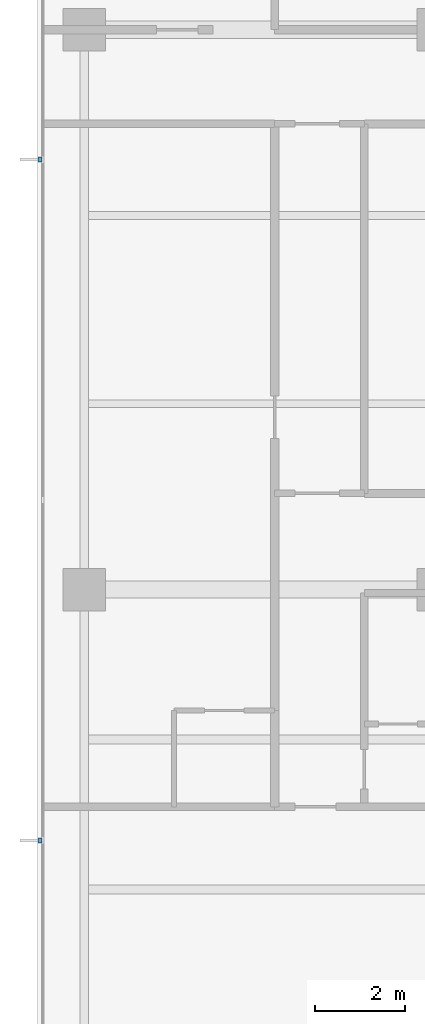
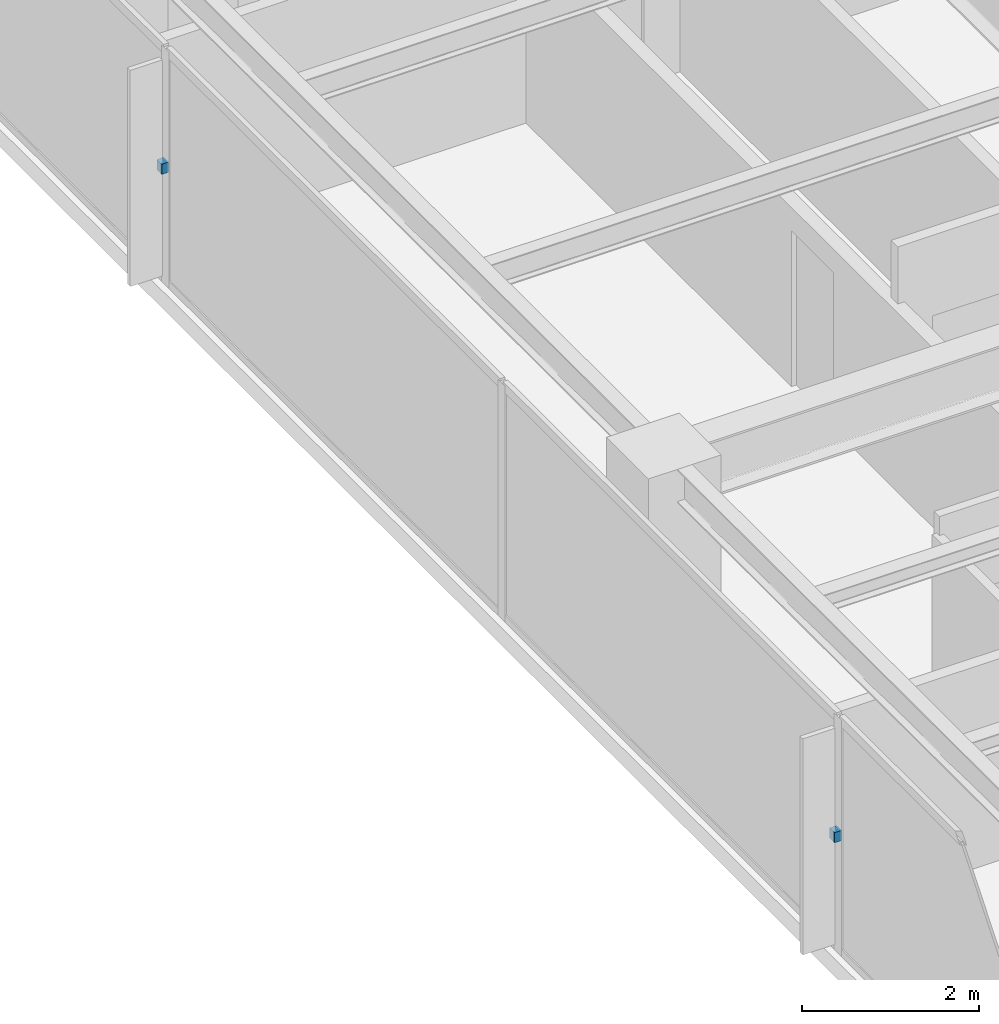
# One storey, part 11 of 15: 2 discrete accessories.
"""IFC4 building model written with IfcOpenShell, lengths in metres."""

from ifc_helpers import new_model, si_unit, direction, frame, origin, place, context, subcontext, project, spatial, polyline, outline, extrude, material, type_object, element, save


model = new_model("IFC4")

# Units and contexts
model_context = context("Model", 3, precision=1e-05, world=origin(), true_north=direction((0.0, 1.0)))
body_context = subcontext(model_context, "Body", "Model", "MODEL_VIEW")
ifc_project = project(units=[si_unit("LENGTHUNIT", "METRE"), si_unit("AREAUNIT", "SQUARE_METRE"), si_unit("VOLUMEUNIT", "CUBIC_METRE"), si_unit("PLANEANGLEUNIT", "RADIAN"), si_unit("MASSUNIT", "GRAM", prefix="KILO")], contexts=[model_context])

# Site, building, storey
site_placement = place(None, origin())
site = spatial("IfcSite", under=ifc_project, at=site_placement, CompositionType="ELEMENT")
building_placement = place(site_placement, origin())
building = spatial("IfcBuilding", under=site, at=building_placement, Name="Qalmaran Belvedere Hotel", CompositionType="ELEMENT")
storey_placement = place(building_placement, frame((0.0, 0.0, 221.39990234375)))
storey = spatial("IfcBuildingStorey", under=building, at=storey_placement, Name="L56", CompositionType="ELEMENT", Elevation=221.39990234375)

# Discrete accessories
ifc_material = material(Name="Stainless Steel 1.4401", Category="steel")
discrete_accessory_type = type_object("IfcDiscreteAccessoryType", Name="BRK-FIN-SS316", PredefinedType="BRACKET", material=ifc_material)
discrete_accessory_1_placement = place(storey_placement, frame((0.0, 0.0, 1.580078125)))
element("IfcDiscreteAccessory", 1, at=discrete_accessory_1_placement, inside=storey, type_object=discrete_accessory_type, Name="L56 Fin Bracket 1", PredefinedType="BRACKET", context=body_context, shape_type="SweptSolid", body=[
    extrude(outline(polyline([(11.455078125, 30.155029296875), (11.362548828125, 30.155029296875), (11.362548828125, 30.044921875), (11.455078125, 30.044921875), (11.455078125, 30.155029296875)])), origin(), (0.0, 0.0, 1.0), 0.14013671875),
])
discrete_accessory_2_placement = place(storey_placement, frame((0.0, 0.0, 1.580078125)))
element("IfcDiscreteAccessory", 2, at=discrete_accessory_2_placement, inside=storey, type_object=discrete_accessory_type, Name="L56 Fin Bracket 3", PredefinedType="BRACKET", context=body_context, shape_type="SweptSolid", body=[
    extrude(outline(polyline([(11.455078125, 14.955078125), (11.362548828125, 14.955078125), (11.362548828125, 14.844970703125), (11.455078125, 14.844970703125), (11.455078125, 14.955078125)])), origin(), (0.0, 0.0, 1.0), 0.14013671875),
])

save(model, "model.ifc")
